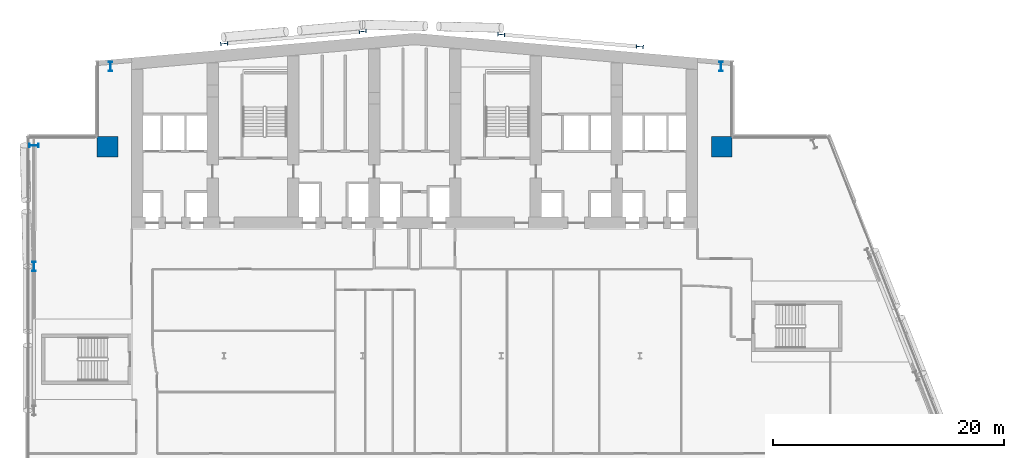
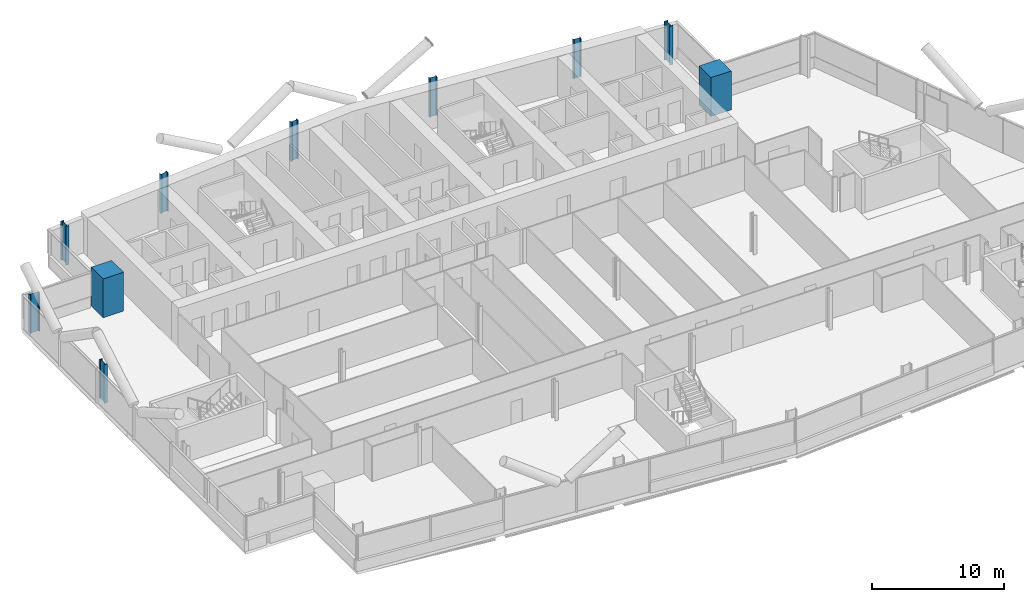
# One storey, part 3 of 27: 10 columns.
"""IFC4 building model written with IfcOpenShell, lengths in metres."""

from ifc_helpers import new_model, si_unit, direction, frame, origin, origin_2d, place, context, subcontext, project, spatial, rectangle, i_section, extrude, material, material_profile, profile_set, type_object, element, save


model = new_model("IFC4")

# Units and contexts
model_context = context("Model", 3, precision=1e-05, world=origin(), true_north=direction((0.0, 1.0)))
body_context = subcontext(model_context, "Body", "Model", "MODEL_VIEW")
ifc_project = project(units=[si_unit("LENGTHUNIT", "METRE"), si_unit("AREAUNIT", "SQUARE_METRE"), si_unit("VOLUMEUNIT", "CUBIC_METRE"), si_unit("PLANEANGLEUNIT", "RADIAN"), si_unit("MASSUNIT", "GRAM", prefix="KILO")], contexts=[model_context])

# Site, building, storey
site_placement = place(None, origin())
site = spatial("IfcSite", under=ifc_project, at=site_placement, CompositionType="ELEMENT")
building_placement = place(site_placement, origin())
building = spatial("IfcBuilding", under=site, at=building_placement, Name="Wharfspan Tower", CompositionType="ELEMENT")
storey_placement = place(building_placement, frame((0.0, 0.0, 139.899902)))
storey = spatial("IfcBuildingStorey", under=building, at=storey_placement, Name="L33", CompositionType="ELEMENT", Elevation=139.899902)

# Columns
ifc_material_1 = material(Name="Steel S355J2", Category="steel")
ifc_material_profile_1 = material_profile(ifc_material_1, i_section(OverallWidth=0.304932, OverallDepth=0.620117, WebThickness=0.020996, FlangeThickness=0.040039, FilletRadius=0.0271, at=origin_2d()))
ifc_profile_set_1 = profile_set([ifc_material_profile_1], Name="Steel S355J2")
column_type_1 = type_object("IfcColumnType", Name="Column HEM 600", PredefinedType="COLUMN", material=ifc_profile_set_1)
for number, where, z_axis, x_axis, name in (
    (1, (24.0, 50.027344, 0.0), (0.0, 0.0, 1.0), (-0.087156, 0.996198, 0.0), "Rear column R.1 L33"),
    (2, (36.0, 51.077148, 0.0), (0.0, 0.0, 1.0), (-0.087156, 0.996198, 0.0), "Rear column R.2 L33"),
    (3, (48.0, 50.814697, 0.0), (0.0, 0.0, 1.0), (0.087156, 0.996198, 0.0), "Rear column R.3 L33"),
    (4, (60.0, 49.764893, 0.0), (0.0, 0.0, 1.0), (0.087156, 0.996198, 0.0), "Rear column R.4 L33"),
):
    element("IfcColumn", number, at=place(storey_placement, frame(where, z_axis=z_axis, x_axis=x_axis)), inside=storey, type_object=column_type_1, Name=name, PredefinedType="COLUMN", context=body_context, shape_type="SweptSolid", body=[
        extrude(i_section(OverallWidth=0.304932, OverallDepth=0.620117, WebThickness=0.020996, FlangeThickness=0.040039, FilletRadius=0.0271, at=origin_2d()), origin(), (0.0, 0.0, 1.0), 3.600098),
    ])
ifc_material_profile_2 = material_profile(ifc_material_1, i_section(OverallWidth=0.302979, OverallDepth=0.813965, WebThickness=0.020996, FlangeThickness=0.040039, FilletRadius=0.030029, at=origin_2d()))
ifc_profile_set_2 = profile_set([ifc_material_profile_2], Name="Steel S355J2")
column_type_2 = type_object("IfcColumnType", Name="Column HEM 800", PredefinedType="COLUMN", material=ifc_profile_set_2)
for number, where, z_axis, x_axis, name in (
    (5, (67.031982, 48.035645, 0.0), (0.0, 0.0, 1.0), (1.0, 0.0, 0.0), "Perimeter column PNRE-V.1 L33"),
    (6, (14.171631, 48.03418, 0.0), (0.0, 0.0, 1.0), (-1.0, 0.0, 0.0), "Perimeter column PNRW-V.1 L33"),
    (7, (7.544434, 41.208008, 0.0), (0.0, 0.0, 1.0), (0.0, 1.0, 0.0), "Perimeter column PNRW-H.1 L33"),
    (8, (7.540039, 30.733398, 0.0), (0.0, 0.0, 1.0), (-1.0, 0.0, 0.0), "Perimeter column PW.1 L33"),
):
    element("IfcColumn", number, at=place(storey_placement, frame(where, z_axis=z_axis, x_axis=x_axis)), inside=storey, type_object=column_type_2, Name=name, PredefinedType="COLUMN", context=body_context, shape_type="SweptSolid", body=[
        extrude(i_section(OverallWidth=0.302979, OverallDepth=0.813965, WebThickness=0.020996, FlangeThickness=0.040039, FilletRadius=0.030029, at=origin_2d()), origin(), (0.0, 0.0, 1.0), 3.600098),
    ])
ifc_material_2 = material(Name="Concrete C70/85", Category="concrete")
ifc_material_profile_3 = material_profile(ifc_material_2, rectangle(XDim=1.800049, YDim=1.800049, at=origin_2d()))
ifc_profile_set_3 = profile_set([ifc_material_profile_3], Name="Concrete C70/85")
column_type_3 = type_object("IfcColumnType", Name="Mega column 1800 C70/85", PredefinedType="COLUMN", material=ifc_profile_set_3)
for number, where, z_axis, x_axis, name in (
    (9, (13.899902, 41.100098, 0.0), (0.0, 0.0, 1.0), (1.0, 0.0, 0.0), "Mega column MC2 L33"),
    (10, (67.100098, 41.100098, 0.0), (0.0, 0.0, 1.0), (1.0, 0.0, 0.0), "Mega column MC3 L33"),
):
    element("IfcColumn", number, at=place(storey_placement, frame(where, z_axis=z_axis, x_axis=x_axis)), inside=storey, type_object=column_type_3, Name=name, PredefinedType="COLUMN", context=body_context, shape_type="SweptSolid", body=[
        extrude(rectangle(XDim=1.800049, YDim=1.800049, at=origin_2d()), origin(), (0.0, 0.0, 1.0), 3.600098),
    ])

save(model, "model.ifc")
